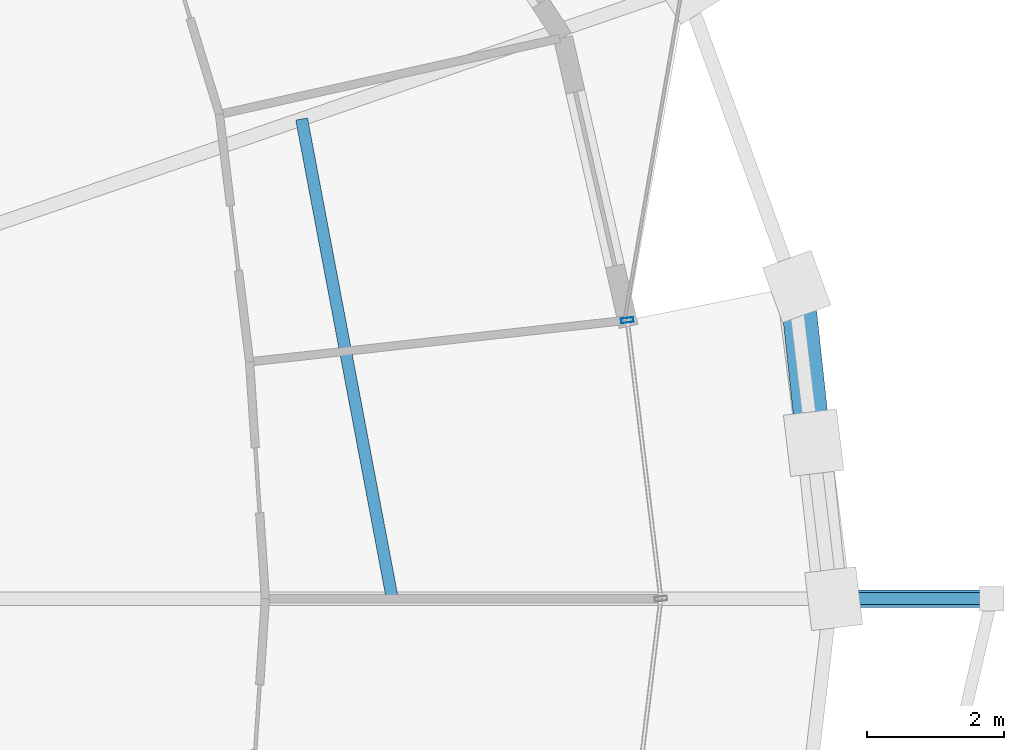
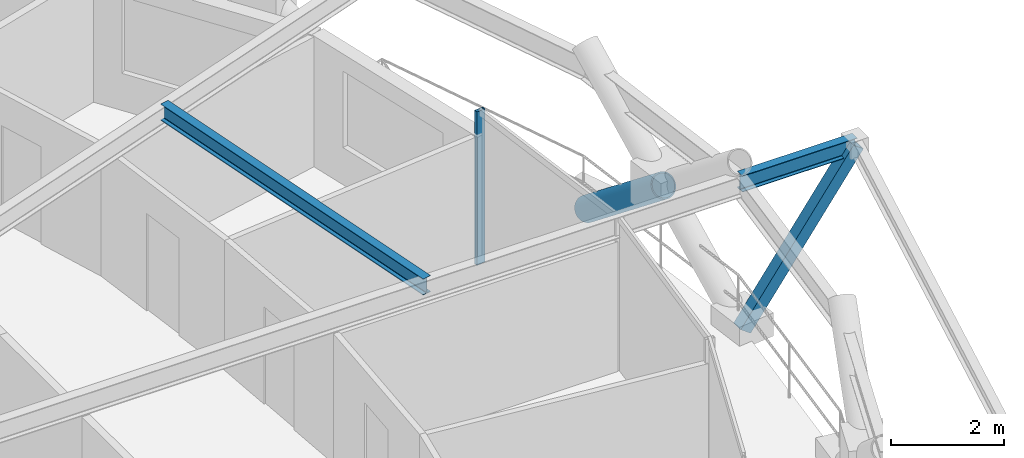
# One storey, part 11 of 20: 3 members, 2 beams, 1 element without a shape of its own.
"""IFC4 building model written with IfcOpenShell, lengths in metres."""

from ifc_helpers import new_model, si_unit, direction, frame, origin, origin_2d, place, context, subcontext, project, spatial, hollow_rectangle, hollow_circle, i_section, extrude, material, layer, layer_set, material_profile, profile_set, type_object, element, aggregate, save


model = new_model("IFC4")

# Units and contexts
model_context = context("Model", 3, precision=1e-05, world=origin(), true_north=direction((0.0, 1.0)))
body_context = subcontext(model_context, "Body", "Model", "MODEL_VIEW")
ifc_project = project(units=[si_unit("LENGTHUNIT", "METRE"), si_unit("AREAUNIT", "SQUARE_METRE"), si_unit("VOLUMEUNIT", "CUBIC_METRE"), si_unit("PLANEANGLEUNIT", "RADIAN"), si_unit("MASSUNIT", "GRAM", prefix="KILO")], contexts=[model_context])

# Site, building, storey
site_placement = place(None, origin())
site = spatial("IfcSite", under=ifc_project, at=site_placement, CompositionType="ELEMENT")
building_placement = place(site_placement, origin())
building = spatial("IfcBuilding", under=site, at=building_placement, Name="Veldorina Hangang Commons", CompositionType="ELEMENT")
storey_placement = place(building_placement, frame((0.0, 0.0, 171.199951171875)))
storey = spatial("IfcBuildingStorey", under=building, at=storey_placement, Name="L44", CompositionType="ELEMENT", Elevation=171.199951171875)

# Beams
ifc_material_1 = material(Name="Steel SM355-TMC", Category="steel")
ifc_material_profile_1 = material_profile(ifc_material_1, i_section(OverallWidth=0.175048828125, OverallDepth=0.35009765625, WebThickness=0.007080078125, FlangeThickness=0.010986328125, FilletRadius=0.012939453125, at=origin_2d()), Name="H-350x175x7x11")
ifc_profile_set_1 = profile_set([ifc_material_profile_1], Name="Steel SM355-TMC")
beam_type_1 = type_object("IfcBeamType", Name="BM-FG350", PredefinedType="BEAM", material=ifc_profile_set_1)
beam_1_placement = place(storey_placement, frame((60.0, 24.0, 3.175048828125), z_axis=(1.0, 0.0, 0.0), x_axis=(0.0, 1.0, 0.0)))
element("IfcBeam", 1, at=beam_1_placement, inside=storey, type_object=beam_type_1, Name="L45 tree balcony 2 bracket beam B", PredefinedType="BEAM", context=body_context, shape_type="SweptSolid", body=[
    extrude(i_section(OverallWidth=0.175048828125, OverallDepth=0.35009765625, WebThickness=0.007080078125, FlangeThickness=0.010986328125, FilletRadius=0.012939453125, at=origin_2d()), origin(), (0.0, 0.0, 1.0), 2.35009765625),
])
ifc_material_profile_2 = material_profile(ifc_material_1, i_section(OverallWidth=0.175048828125, OverallDepth=0.35009765625, WebThickness=0.007080078125, FlangeThickness=0.010986328125, FilletRadius=0.012939453125, at=origin_2d()), Name="H-350x175x7x11")
ifc_profile_set_2 = profile_set([ifc_material_profile_2], Name="Steel SM355-TMC")
beam_type_2 = type_object("IfcBeamType", Name="BM-JST350", PredefinedType="JOIST", material=ifc_profile_set_2)
beam_2_placement = place(storey_placement, frame((53.612548828125, 24.0, 3.175048828125), z_axis=(-0.185709077606, 0.982604772274, 0.0), x_axis=(-0.982604772274, -0.185709077606, 0.0)))
element("IfcBeam", 2, at=beam_2_placement, inside=storey, type_object=beam_type_2, Name="L44 secondary floor joist 01", PredefinedType="JOIST", context=body_context, shape_type="SweptSolid", body=[
    extrude(i_section(OverallWidth=0.175048828125, OverallDepth=0.35009765625, WebThickness=0.007080078125, FlangeThickness=0.010986328125, FilletRadius=0.012939453125, at=origin_2d()), origin(), (0.0, 0.0, 1.0), 7.117431640625),
])

# Curtain wall, member
ifc_material_2 = material(Name="Glass Low-E Triple IGU", Category="glass")
ifc_layer = layer(ifc_material_2, 0.179931640625)
ifc_layer_set = layer_set([ifc_layer], Name="Glass Low-E Triple IGU")
curtain_wall_type = type_object("IfcCurtainWallType", Name="CW-SYS-Z2", PredefinedType="NOTDEFINED", material=ifc_layer_set)
curtain_wall_placement = place(storey_placement, origin())
curtain_wall = element("IfcCurtainWall", 3, at=curtain_wall_placement, inside=storey, type_object=curtain_wall_type, Name="L44 unitised curtain wall CW-L44-R2", PredefinedType="NOTDEFINED")
ifc_material_3 = material(Name="Aluminium Anodized AA6063-T6", Category="aluminium")
ifc_material_profile_3 = material_profile(ifc_material_3, hollow_rectangle(XDim=0.070068359375, YDim=0.179931640625, WallThickness=0.00390625, at=origin_2d()), Name="ALU-RHS-180x70x4")
ifc_profile_set_3 = profile_set([ifc_material_profile_3], Name="Aluminium Anodized AA6063-T6")
member_type_1 = type_object("IfcMemberType", Name="CW-MUL-180", PredefinedType="MULLION", material=ifc_profile_set_3)
member_1_placement = place(storey_placement, frame((57.037353515625, 28.060546875, 0.0), z_axis=(0.0, 0.0, 1.0), x_axis=(0.11992891359, -0.992782481556, 0.0)))
member_1 = element("IfcMember", 4, at=member_1_placement, type_object=member_type_1, Name="CW-L44-R2 vertical mullion 6", PredefinedType="MULLION", context=body_context, shape_type="SweptSolid", body=[
    extrude(hollow_rectangle(XDim=0.070068359375, YDim=0.179931640625, WallThickness=0.00390625, at=origin_2d()), origin(), (0.0, 0.0, 1.0), 3.31005859375),
])
aggregate(curtain_wall, [member_1])

# Members
ifc_material_4 = material(Name="Steel SM420-TMC", Category="steel")
ifc_material_profile_4 = material_profile(ifc_material_4, hollow_circle(Radius=0.25, WallThickness=0.02490234375, at=origin_2d()), Name="CHS-500x25")
ifc_profile_set_4 = profile_set([ifc_material_profile_4], Name="Steel SM420-TMC")
member_type_2 = type_object("IfcMemberType", Name="DG-CHS500", PredefinedType="BRACE", material=ifc_profile_set_4)
member_2_placement = place(storey_placement, frame((59.5087890625, 28.552001953125, 0.0), z_axis=(0.084363342095, -0.781554735261, 0.618105996008), x_axis=(0.994224578558, 0.10731955736, 0.0)))
element("IfcMember", 5, at=member_2_placement, inside=storey, type_object=member_type_2, Name="L44 split perimeter diagrid lower brace 01", PredefinedType="BRACE", context=body_context, shape_type="SweptSolid", body=[
    extrude(hollow_circle(Radius=0.25, WallThickness=0.02490234375, at=origin_2d()), origin(), (0.0, 0.0, 1.0), 2.9140625),
])
ifc_material_profile_5 = material_profile(ifc_material_1, hollow_rectangle(XDim=0.25, YDim=0.25, WallThickness=0.011962890625, at=origin_2d()), Name="SHS-250x250x12")
ifc_profile_set_5 = profile_set([ifc_material_profile_5], Name="Steel SM355-TMC")
member_type_3 = type_object("IfcMemberType", Name="STR-SHS250", PredefinedType="STRUT", material=ifc_profile_set_5)
member_3_placement = place(storey_placement, frame((60.0478515625, 24.0, 0.0), z_axis=(0.587023674697, 0.0, 0.809569765582), x_axis=(0.0, 1.0, 0.0)))
element("IfcMember", 6, at=member_3_placement, inside=storey, type_object=member_type_3, Name="L45 tree balcony 2 raking knee strut B", PredefinedType="STRUT", context=body_context, shape_type="SweptSolid", body=[
    extrude(hollow_rectangle(XDim=0.25, YDim=0.25, WallThickness=0.011962890625, at=origin_2d()), origin(), (0.0, 0.0, 1.0), 3.921875),
])

save(model, "model.ifc")
